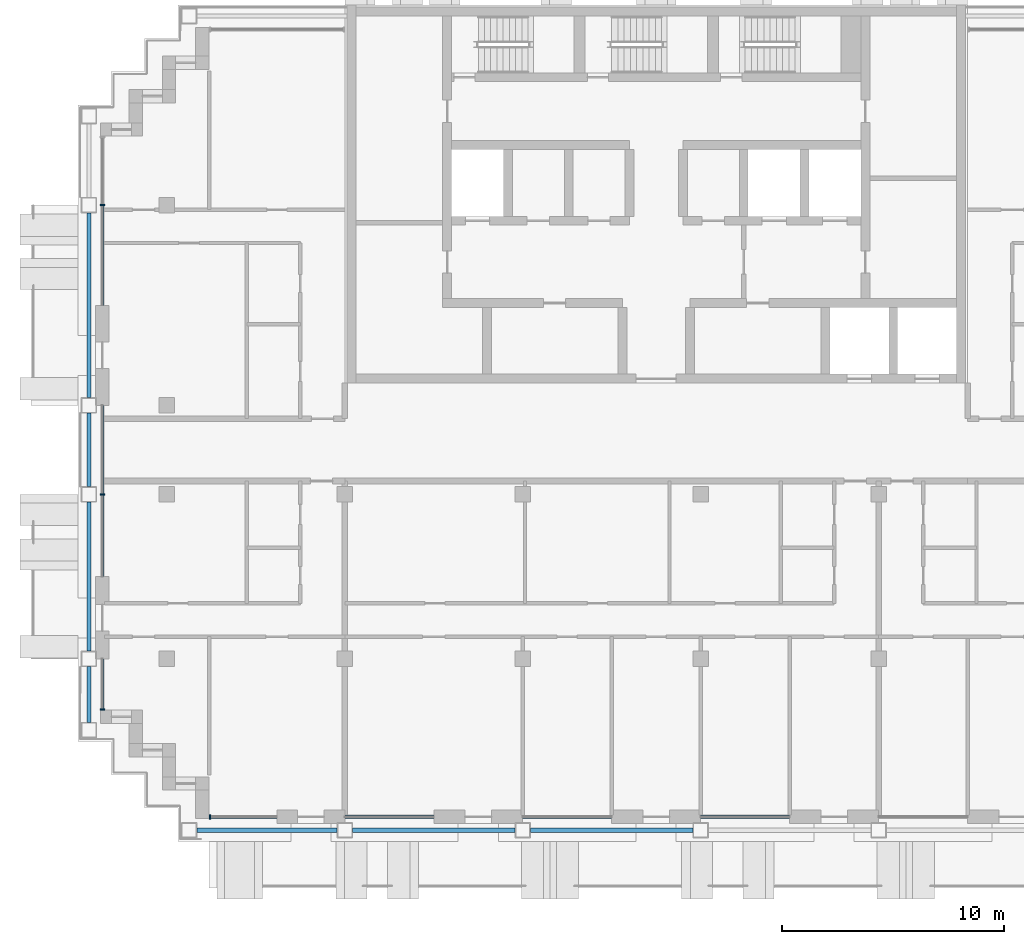
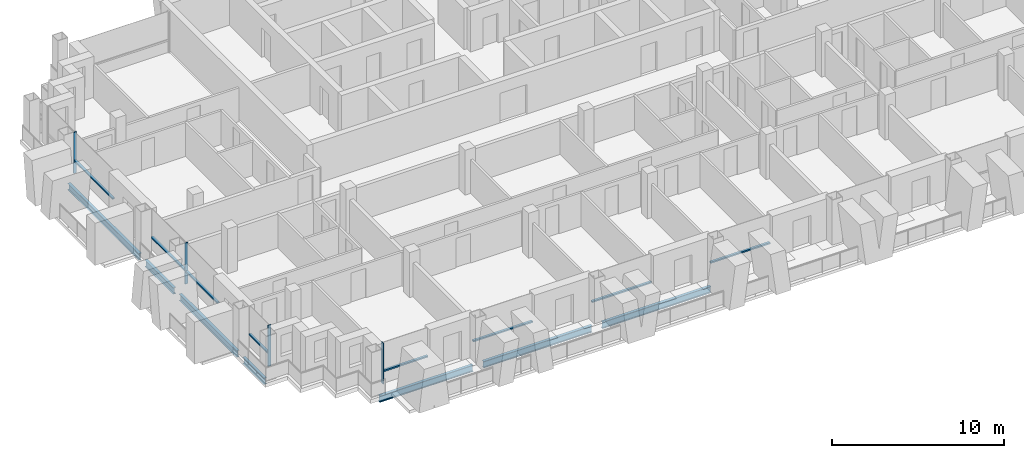
# One storey, part 2 of 16: 12 members, 7 beams, 7 elements without a shape of their own.
"""IFC4 building model written with IfcOpenShell, lengths in metres."""

import ifcopenshell
import ifcopenshell.guid

model = None  # the IFC model being written
_history = None  # IfcOwnerHistory: only IFC2X3 demands one
_inside = {}  # id of a spatial element -> (the spatial element, [elements in it])
_under = {}  # id of a project, library or spatial element -> (it, [spatial elements below it])
_declared = {}  # id of a project -> (the project, [libraries it declares])
_typed = {}  # id of a type object -> (the type object, [elements of that type])
_made_of = {}  # id of a material, layer set ... -> (it, [elements and type objects made of it])


def new_model(schema):
    """Start an empty IFC model of exactly this schema.

    Asked for "IFC4X3", IfcOpenShell would pick the latest addendum, in which some entities
    have other attributes; the version numbers below select the first issue.
    IFC2X3 requires an IfcOwnerHistory on every rooted entity: one is made here for all.
    """
    global model, _history
    if schema == "IFC4X3":
        model = ifcopenshell.file(schema_version=(4, 3, 0, 0))
    else:
        model = ifcopenshell.file(schema=schema)
    _inside.clear()
    _under.clear()
    _declared.clear()
    _typed.clear()
    _made_of.clear()
    _history = None
    if model.schema == "IFC2X3":
        org = make("IfcOrganization", Name="unknown")
        user = make(
            "IfcPersonAndOrganization",
            ThePerson=make("IfcPerson", FamilyName="unknown"),
            TheOrganization=org,
        )
        app = make(
            "IfcApplication",
            ApplicationDeveloper=org,
            Version="unknown",
            ApplicationFullName="unknown",
            ApplicationIdentifier="unknown",
        )
        _history = make(
            "IfcOwnerHistory",
            OwningUser=user,
            OwningApplication=app,
            ChangeAction="ADDED",
            CreationDate=0,
        )
    return model


def make(cls, **values):
    """One entity of the class cls with the attributes given. An attribute that is None is left unset."""
    return model.create_entity(
        cls, **{name: value for name, value in values.items() if value is not None}
    )


def rooted(cls, **values):
    """An entity with a GlobalId (a new one), such as an element, a storey or a relation."""
    return make(cls, GlobalId=ifcopenshell.guid.new(), OwnerHistory=_history, **values)


def si_unit(unit_type, name, prefix=None):
    """IfcSIUnit, for example si_unit("LENGTHUNIT", "METRE", prefix="MILLI")."""
    return make("IfcSIUnit", UnitType=unit_type, Prefix=prefix, Name=name)


def assignment(units):
    """IfcUnitAssignment: the units of a project."""
    return None if units is None else make("IfcUnitAssignment", Units=units)


def point(xyz):
    """IfcCartesianPoint."""
    return None if xyz is None else make("IfcCartesianPoint", Coordinates=xyz)


def direction(xyz):
    """IfcDirection."""
    return None if xyz is None else make("IfcDirection", DirectionRatios=xyz)


def frame(location, z_axis=None, x_axis=None):
    """IfcAxis2Placement3D, a coordinate frame: its origin and axes. An axis left out is left unset."""
    return make(
        "IfcAxis2Placement3D",
        Location=point(location),
        Axis=direction(z_axis),
        RefDirection=direction(x_axis),
    )


def frame_2d(location, x_axis=None):
    """IfcAxis2Placement2D, a coordinate frame in the plane: its origin and x axis."""
    return make(
        "IfcAxis2Placement2D", Location=point(location), RefDirection=direction(x_axis)
    )


def origin():
    """The frame at (0, 0, 0) with its axes left unset."""
    return frame((0.0, 0.0, 0.0))


def origin_2d():
    """The frame at (0, 0) in the plane with its x axis left unset."""
    return frame_2d((0.0, 0.0))


def place(relative_to, where):
    """IfcLocalPlacement: puts the frame where relative to a parent placement (None: the world)."""
    return make(
        "IfcLocalPlacement", PlacementRelTo=relative_to, RelativePlacement=where
    )


def context(
    kind, dimensions, precision=None, world=None, true_north=None, identifier=None
):
    """IfcGeometricRepresentationContext, for example the 3D "Model" context."""
    return make(
        "IfcGeometricRepresentationContext",
        ContextIdentifier=identifier,
        ContextType=kind,
        CoordinateSpaceDimension=dimensions,
        Precision=precision,
        WorldCoordinateSystem=world,
        TrueNorth=true_north,
    )


def subcontext(parent, identifier, kind, view, scale=None):
    """IfcGeometricRepresentationSubContext, for example "Body" below "Model"."""
    return make(
        "IfcGeometricRepresentationSubContext",
        ContextIdentifier=identifier,
        ContextType=kind,
        ParentContext=parent,
        TargetScale=scale,
        TargetView=view,
    )


def project(units=None, contexts=None):
    """IfcProject with its units and contexts."""
    return rooted(
        "IfcProject",
        Name="project",
        RepresentationContexts=contexts,
        UnitsInContext=assignment(units),
    )


def spatial(cls, under=None, at=None, **own):
    """A site, building, storey or space (cls), placed at a placement, below another one or the project."""
    s = rooted(cls, ObjectPlacement=at, **own)
    if under is not None:
        _under.setdefault(under.id(), (under, []))[1].append(s)
    return s


def profile(cls, at=None, kind="AREA", **sizes):
    """A parametric profile (cls). Its sizes go by their IFC names, for example OverallWidth=200.0."""
    return make(cls, ProfileType=kind, Position=at, **sizes)


def rectangle(**sizes):
    """IfcRectangleProfileDef."""
    return profile("IfcRectangleProfileDef", **sizes)


def i_section(**sizes):
    """IfcIShapeProfileDef."""
    return profile("IfcIShapeProfileDef", **sizes)


def extrude(swept, where, along, depth):
    """IfcExtrudedAreaSolid: the profile swept, set in the frame where, extruded along a direction by depth."""
    return make(
        "IfcExtrudedAreaSolid",
        SweptArea=swept,
        Position=where,
        ExtrudedDirection=direction(along),
        Depth=depth,
    )


def shape(context_of_items, identifier, shape_type, items):
    """IfcShapeRepresentation: the items that make up one representation, for example the "Body"."""
    return make(
        "IfcShapeRepresentation",
        ContextOfItems=context_of_items,
        RepresentationIdentifier=identifier,
        RepresentationType=shape_type,
        Items=items,
    )


def material(Name=None, Category=None):
    """IfcMaterial."""
    return make("IfcMaterial", Name=Name, Category=Category)


def material_profile(
    of_material, cross_section, Name=None, Category=None, Priority=None
):
    """IfcMaterialProfile: a cross section and its material."""
    return make(
        "IfcMaterialProfile",
        Name=Name,
        Material=of_material,
        Profile=cross_section,
        Priority=Priority,
        Category=Category,
    )


def profile_set(profiles, Name=None, composite=None):
    """IfcMaterialProfileSet."""
    return make(
        "IfcMaterialProfileSet",
        Name=Name,
        MaterialProfiles=profiles,
        CompositeProfile=composite,
    )


def made_of(thing, what):
    """Note that an element or type object is made of a material, layer set ...; save() writes the relation."""
    if what is not None:
        _made_of.setdefault(what.id(), (what, []))[1].append(thing)
    return thing


def type_object(cls, material=None, **own):
    """A type object (cls), such as IfcWallType, which elements share."""
    return made_of(rooted(cls, **own), material)


def element(
    cls,
    number,
    at=None,
    inside=None,
    cuts=None,
    type_object=None,
    material=None,
    context=None,
    identifier="Body",
    shape_type=None,
    held_by="IfcProductDefinitionShape",
    body=None,
    shapes=None,
    **own,
):
    """One element of the class cls, such as IfcWall. Its Tag is "e" and its number.

    at: its placement. inside: the storey or other place that contains it. cuts: it is an
    opening in that element (IfcRelVoidsElement). A single representation is given by context,
    identifier, shape_type and body (its items); several are given by shapes. held_by: the class
    of the entity that holds the representations. save() writes the other relations.
    """
    e = rooted(cls, Tag="e%d" % number, ObjectPlacement=at, **own)
    if body is not None:
        shapes = [shape(context, identifier, shape_type, body)]
    if shapes is not None:
        e.Representation = make(held_by, Representations=shapes)
    if inside is not None:
        _inside.setdefault(inside.id(), (inside, []))[1].append(e)
    if cuts is not None:
        rooted(
            "IfcRelVoidsElement", RelatingBuildingElement=cuts, RelatedOpeningElement=e
        )
    if type_object is not None:
        _typed.setdefault(type_object.id(), (type_object, []))[1].append(e)
    return made_of(e, material)


def aggregate(whole, parts):
    """IfcRelAggregates: a whole, such as a stair, and the parts it consists of."""
    return rooted("IfcRelAggregates", RelatingObject=whole, RelatedObjects=parts)


def save(model, path):
    """Write the relations noted so far, then the file.

    IfcRelAggregates (storeys below a building ...), IfcRelContainedInSpatialStructure (elements
    in a storey), IfcRelDefinesByType, IfcRelAssociatesMaterial and IfcRelDeclares: one each for
    every whole, place, type object, material and project.
    """
    for whole, parts in _under.values():
        aggregate(whole, parts)
    for where, things in _inside.values():
        rooted(
            "IfcRelContainedInSpatialStructure",
            RelatedElements=things,
            RelatingStructure=where,
        )
    for kind, things in _typed.values():
        rooted("IfcRelDefinesByType", RelatedObjects=things, RelatingType=kind)
    for what, things in _made_of.values():
        rooted("IfcRelAssociatesMaterial", RelatedObjects=things, RelatingMaterial=what)
    for by, libraries in _declared.values():
        rooted("IfcRelDeclares", RelatingContext=by, RelatedDefinitions=libraries)
    model.write(path)


model = new_model("IFC4")

# Units and contexts
model_context = context("Model", 3, precision=1e-05, world=origin(), true_north=direction((0.0, 1.0)))
body_context = subcontext(model_context, "Body", "Model", "MODEL_VIEW")
ifc_project = project(units=[si_unit("LENGTHUNIT", "METRE"), si_unit("AREAUNIT", "SQUARE_METRE"), si_unit("VOLUMEUNIT", "CUBIC_METRE"), si_unit("PLANEANGLEUNIT", "RADIAN"), si_unit("MASSUNIT", "GRAM", prefix="KILO")], contexts=[model_context])

# Site, building, storey
site_placement = place(None, origin())
site = spatial("IfcSite", under=ifc_project, at=site_placement, CompositionType="ELEMENT")
building_placement = place(site_placement, origin())
building = spatial("IfcBuilding", under=site, at=building_placement, Name="Vidyagriha Tower", CompositionType="ELEMENT")
storey_placement = place(building_placement, frame((0.0, 0.0, 184.5)))
storey = spatial("IfcBuildingStorey", under=building, at=storey_placement, Name="L48", CompositionType="ELEMENT", Elevation=184.5)

# Beams
ifc_material_1 = material(Name="Steel ASTM A992 Grade 50", Category="steel")
ifc_material_profile_1 = material_profile(ifc_material_1, i_section(OverallWidth=0.19189453125, OverallDepth=0.46240234375, WebThickness=0.010498046875, FlangeThickness=0.017578125, at=origin_2d()), Name="W18X60")
ifc_profile_set_1 = profile_set([ifc_material_profile_1], Name="Steel ASTM A992 Grade 50")
beam_type = type_object("IfcBeamType", Name="Edge beam W18X60", PredefinedType="SPANDREL", material=ifc_profile_set_1)
beam_1_placement = place(storey_placement, frame((-20.64990234375, -17.10009765625, -0.51123046875), z_axis=(1.0, 0.0, 0.0), x_axis=(0.0, 1.0, 0.0)))
element("IfcBeam", 1, at=beam_1_placement, inside=storey, type_object=beam_type, Name="st-beam-L48-S01", PredefinedType="SPANDREL", context=body_context, shape_type="SweptSolid", body=[
    extrude(i_section(OverallWidth=0.19189453125, OverallDepth=0.46240234375, WebThickness=0.010498046875, FlangeThickness=0.017578125, at=origin_2d()), origin(), (0.0, 0.0, 1.0), 6.2998046875),
])
for number, where, z_axis, x_axis, name in (
    (2, (-13.64990234375, -17.10009765625, -0.51123046875), (1.0, 0.0, 0.0), (0.0, 1.0, 0.0), "st-beam-L48-S02"),
    (3, (-5.64990234375, -17.10009765625, -0.51123046875), (1.0, 0.0, 0.0), (0.0, 1.0, 0.0), "st-beam-L48-S03"),
):
    element("IfcBeam", number, at=place(storey_placement, frame(where, z_axis=z_axis, x_axis=x_axis)), inside=storey, type_object=beam_type, Name=name, PredefinedType="SPANDREL", context=body_context, shape_type="SweptSolid", body=[
        extrude(i_section(OverallWidth=0.19189453125, OverallDepth=0.46240234375, WebThickness=0.010498046875, FlangeThickness=0.017578125, at=origin_2d()), origin(), (0.0, 0.0, 1.0), 7.2998046875),
    ])
beam_2_placement = place(storey_placement, frame((-25.5, -12.25, -0.51123046875), z_axis=(0.0, 1.0, 0.0), x_axis=(-1.0, 0.0, 0.0)))
element("IfcBeam", 4, at=beam_2_placement, inside=storey, type_object=beam_type, Name="st-beam-L48-W08", PredefinedType="SPANDREL", context=body_context, shape_type="SweptSolid", body=[
    extrude(i_section(OverallWidth=0.19189453125, OverallDepth=0.46240234375, WebThickness=0.010498046875, FlangeThickness=0.017578125, at=origin_2d()), origin(), (0.0, 0.0, 1.0), 2.5),
])
beam_3_placement = place(storey_placement, frame((-25.5, -9.050048828125, -0.51123046875), z_axis=(0.0, 1.0, 0.0), x_axis=(-1.0, 0.0, 0.0)))
element("IfcBeam", 5, at=beam_3_placement, inside=storey, type_object=beam_type, Name="st-beam-L48-W09", PredefinedType="SPANDREL", context=body_context, shape_type="SweptSolid", body=[
    extrude(i_section(OverallWidth=0.19189453125, OverallDepth=0.46240234375, WebThickness=0.010498046875, FlangeThickness=0.017578125, at=origin_2d()), origin(), (0.0, 0.0, 1.0), 6.699951171875),
])
beam_4_placement = place(storey_placement, frame((-25.5, -1.64990234375, -0.51123046875), z_axis=(0.0, 1.0, 0.0), x_axis=(-1.0, 0.0, 0.0)))
element("IfcBeam", 6, at=beam_4_placement, inside=storey, type_object=beam_type, Name="st-beam-L48-W10", PredefinedType="SPANDREL", context=body_context, shape_type="SweptSolid", body=[
    extrude(i_section(OverallWidth=0.19189453125, OverallDepth=0.46240234375, WebThickness=0.010498046875, FlangeThickness=0.017578125, at=origin_2d()), origin(), (0.0, 0.0, 1.0), 3.2998046875),
])
beam_5_placement = place(storey_placement, frame((-25.5, 2.35009765625, -0.51123046875), z_axis=(0.0, 1.0, 0.0), x_axis=(-1.0, 0.0, 0.0)))
element("IfcBeam", 7, at=beam_5_placement, inside=storey, type_object=beam_type, Name="st-beam-L48-W11", PredefinedType="SPANDREL", context=body_context, shape_type="SweptSolid", body=[
    extrude(i_section(OverallWidth=0.19189453125, OverallDepth=0.46240234375, WebThickness=0.010498046875, FlangeThickness=0.017578125, at=origin_2d()), origin(), (0.0, 0.0, 1.0), 8.2998046875),
])

# Curtain wall, member
ifc_material_2 = material(Name="Aluminium and glass curtain wall", Category="aluminium")
curtain_wall_type = type_object("IfcCurtainWallType", Name="Dwelling skin unitised curtain wall", PredefinedType="USERDEFINED", material=ifc_material_2)
curtain_wall_1_placement = place(storey_placement, origin())
curtain_wall_1 = element("IfcCurtainWall", 8, at=curtain_wall_1_placement, inside=storey, type_object=curtain_wall_type, Name="CW1 dwelling skin", ObjectType="UNITISED", PredefinedType="USERDEFINED")
ifc_material_3 = material(Name="Aluminium black anodised", Category="aluminium")
ifc_material_profile_2 = material_profile(ifc_material_3, rectangle(XDim=0.199951171875, YDim=0.070068359375, at=origin_2d()), Name="Mullion 70x200 black aluminium")
ifc_profile_set_2 = profile_set([ifc_material_profile_2], Name="Aluminium black anodised")
member_type_1 = type_object("IfcMemberType", Name="Mullion 70x200 black aluminium", PredefinedType="MULLION", material=ifc_profile_set_2)
member_1_placement = place(storey_placement, frame((-24.89990234375, 11.0, 0.0)))
member_1 = element("IfcMember", 9, at=member_1_placement, type_object=member_type_1, Name="CW1 mullion 2", PredefinedType="MULLION", context=body_context, shape_type="SweptSolid", body=[
    extrude(rectangle(XDim=0.199951171875, YDim=0.070068359375, at=origin_2d()), origin(), (0.0, 0.0, 1.0), 2.919921875),
])

curtain_wall_2_placement = place(storey_placement, origin())
curtain_wall_2 = element("IfcCurtainWall", 10, at=curtain_wall_2_placement, inside=storey, type_object=curtain_wall_type, Name="CW1 dwelling skin", ObjectType="UNITISED", PredefinedType="USERDEFINED")
member_2_placement = place(storey_placement, frame((-24.89990234375, -2.0, 0.0)))
member_2 = element("IfcMember", 11, at=member_2_placement, type_object=member_type_1, Name="CW1 mullion 2", PredefinedType="MULLION", context=body_context, shape_type="SweptSolid", body=[
    extrude(rectangle(XDim=0.199951171875, YDim=0.070068359375, at=origin_2d()), origin(), (0.0, 0.0, 1.0), 2.919921875),
])

curtain_wall_3_placement = place(storey_placement, origin())
curtain_wall_3 = element("IfcCurtainWall", 12, at=curtain_wall_3_placement, inside=storey, type_object=curtain_wall_type, Name="CW1 dwelling skin", ObjectType="UNITISED", PredefinedType="USERDEFINED")
member_3_placement = place(storey_placement, frame((-24.89990234375, -11.6650390625, 0.0)))
member_3 = element("IfcMember", 13, at=member_3_placement, type_object=member_type_1, Name="CW1 mullion 2", PredefinedType="MULLION", context=body_context, shape_type="SweptSolid", body=[
    extrude(rectangle(XDim=0.199951171875, YDim=0.070068359375, at=origin_2d()), origin(), (0.0, 0.0, 1.0), 2.919921875),
])

curtain_wall_4_placement = place(storey_placement, origin())
curtain_wall_4 = element("IfcCurtainWall", 14, at=curtain_wall_4_placement, inside=storey, type_object=curtain_wall_type, Name="CW1 dwelling skin", ObjectType="UNITISED", PredefinedType="USERDEFINED")
member_4_placement = place(storey_placement, frame((-20.06494140625, -16.5, 0.0), z_axis=(0.0, 0.0, 1.0), x_axis=(0.0, 1.0, 0.0)))
member_4 = element("IfcMember", 15, at=member_4_placement, type_object=member_type_1, Name="CW1 mullion 1", PredefinedType="MULLION", context=body_context, shape_type="SweptSolid", body=[
    extrude(rectangle(XDim=0.199951171875, YDim=0.070068359375, at=origin_2d()), origin(), (0.0, 0.0, 1.0), 2.919921875),
])

# Member
ifc_material_4 = material(Name="Aluminium black anodised", Category="aluminium")
ifc_material_profile_3 = material_profile(ifc_material_4, rectangle(XDim=0.159912109375, YDim=0.10009765625, at=origin_2d()), Name="Transom 100x160 black aluminium")
ifc_profile_set_3 = profile_set([ifc_material_profile_3], Name="Aluminium black anodised")
member_type_2 = type_object("IfcMemberType", Name="Transom 100x160 black aluminium", PredefinedType="USERDEFINED", material=ifc_profile_set_3)
member_5_placement = place(storey_placement, frame((-24.89990234375, 10.965087890625, 0.89990234375), z_axis=(0.0, -1.0, 0.0), x_axis=(1.0, 0.0, 0.0)))
member_5 = element("IfcMember", 16, at=member_5_placement, type_object=member_type_2, Name="CW1 transom 2.1", ObjectType="TRANSOM", PredefinedType="USERDEFINED", context=body_context, shape_type="SweptSolid", body=[
    extrude(rectangle(XDim=0.159912109375, YDim=0.10009765625, at=origin_2d()), origin(), (0.0, 0.0, 1.0), 4.465087890625),
])

aggregate(curtain_wall_1, [member_1, member_5])

member_6_placement = place(storey_placement, frame((-24.89990234375, 2.0, 0.89990234375), z_axis=(0.0, -1.0, 0.0), x_axis=(1.0, 0.0, 0.0)))
member_6 = element("IfcMember", 17, at=member_6_placement, type_object=member_type_2, Name="CW1 transom 1.1", ObjectType="TRANSOM", PredefinedType="USERDEFINED", context=body_context, shape_type="SweptSolid", body=[
    extrude(rectangle(XDim=0.159912109375, YDim=0.10009765625, at=origin_2d()), origin(), (0.0, 0.0, 1.0), 3.965087890625),
])

member_7_placement = place(storey_placement, frame((-24.89990234375, -2.034912109375, 0.89990234375), z_axis=(0.0, -1.0, 0.0), x_axis=(1.0, 0.0, 0.0)))
member_7 = element("IfcMember", 18, at=member_7_placement, type_object=member_type_2, Name="CW1 transom 2.1", ObjectType="TRANSOM", PredefinedType="USERDEFINED", context=body_context, shape_type="SweptSolid", body=[
    extrude(rectangle(XDim=0.159912109375, YDim=0.10009765625, at=origin_2d()), origin(), (0.0, 0.0, 1.0), 3.6650390625),
])

aggregate(curtain_wall_2, [member_2, member_6, member_7])

member_8_placement = place(storey_placement, frame((-24.89990234375, -9.39990234375, 0.89990234375), z_axis=(0.0, -1.0, 0.0), x_axis=(1.0, 0.0, 0.0)))
member_8 = element("IfcMember", 19, at=member_8_placement, type_object=member_type_2, Name="CW1 transom 1.1", ObjectType="TRANSOM", PredefinedType="USERDEFINED", context=body_context, shape_type="SweptSolid", body=[
    extrude(rectangle(XDim=0.159912109375, YDim=0.10009765625, at=origin_2d()), origin(), (0.0, 0.0, 1.0), 2.22998046875),
])

aggregate(curtain_wall_3, [member_3, member_8])

member_9_placement = place(storey_placement, frame((-20.030029296875, -16.5, 0.89990234375), z_axis=(1.0, 0.0, 0.0), x_axis=(0.0, 1.0, 0.0)))
member_9 = element("IfcMember", 20, at=member_9_placement, type_object=member_type_2, Name="CW1 transom 1.1", ObjectType="TRANSOM", PredefinedType="USERDEFINED", context=body_context, shape_type="SweptSolid", body=[
    extrude(rectangle(XDim=0.159912109375, YDim=0.10009765625, at=origin_2d()), origin(), (0.0, 0.0, 1.0), 2.97998046875),
])

aggregate(curtain_wall_4, [member_4, member_9])

# Curtain wall, member
curtain_wall_5_placement = place(storey_placement, origin())
curtain_wall_5 = element("IfcCurtainWall", 21, at=curtain_wall_5_placement, inside=storey, type_object=curtain_wall_type, Name="CW1 dwelling skin", ObjectType="UNITISED", PredefinedType="USERDEFINED")
member_10_placement = place(storey_placement, frame((-14.0, -16.5, 0.89990234375), z_axis=(1.0, 0.0, 0.0), x_axis=(0.0, 1.0, 0.0)))
member_10 = element("IfcMember", 22, at=member_10_placement, type_object=member_type_2, Name="CW1 transom 1.1", ObjectType="TRANSOM", PredefinedType="USERDEFINED", context=body_context, shape_type="SweptSolid", body=[
    extrude(rectangle(XDim=0.159912109375, YDim=0.10009765625, at=origin_2d()), origin(), (0.0, 0.0, 1.0), 4.0),
])
aggregate(curtain_wall_5, [member_10])

curtain_wall_6_placement = place(storey_placement, origin())
curtain_wall_6 = element("IfcCurtainWall", 23, at=curtain_wall_6_placement, inside=storey, type_object=curtain_wall_type, Name="CW1 dwelling skin", ObjectType="UNITISED", PredefinedType="USERDEFINED")
member_11_placement = place(storey_placement, frame((-6.0, -16.5, 0.89990234375), z_axis=(1.0, 0.0, 0.0), x_axis=(0.0, 1.0, 0.0)))
member_11 = element("IfcMember", 24, at=member_11_placement, type_object=member_type_2, Name="CW1 transom 1.1", ObjectType="TRANSOM", PredefinedType="USERDEFINED", context=body_context, shape_type="SweptSolid", body=[
    extrude(rectangle(XDim=0.159912109375, YDim=0.10009765625, at=origin_2d()), origin(), (0.0, 0.0, 1.0), 4.0),
])
aggregate(curtain_wall_6, [member_11])

curtain_wall_7_placement = place(storey_placement, origin())
curtain_wall_7 = element("IfcCurtainWall", 25, at=curtain_wall_7_placement, inside=storey, type_object=curtain_wall_type, Name="CW1 dwelling skin", ObjectType="UNITISED", PredefinedType="USERDEFINED")
member_12_placement = place(storey_placement, frame((2.0, -16.5, 0.89990234375), z_axis=(1.0, 0.0, 0.0), x_axis=(0.0, 1.0, 0.0)))
member_12 = element("IfcMember", 26, at=member_12_placement, type_object=member_type_2, Name="CW1 transom 1.1", ObjectType="TRANSOM", PredefinedType="USERDEFINED", context=body_context, shape_type="SweptSolid", body=[
    extrude(rectangle(XDim=0.159912109375, YDim=0.10009765625, at=origin_2d()), origin(), (0.0, 0.0, 1.0), 4.0),
])
aggregate(curtain_wall_7, [member_12])

save(model, "model.ifc")
